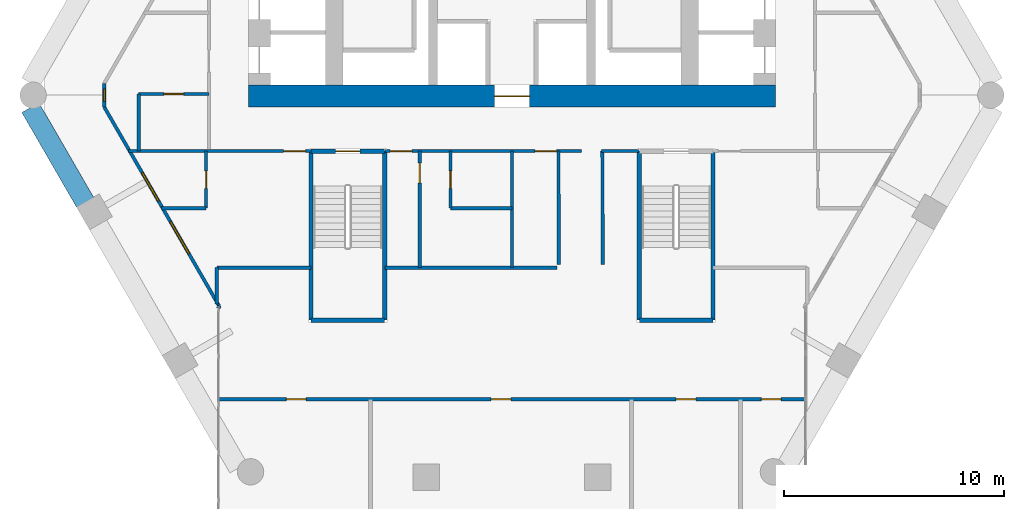
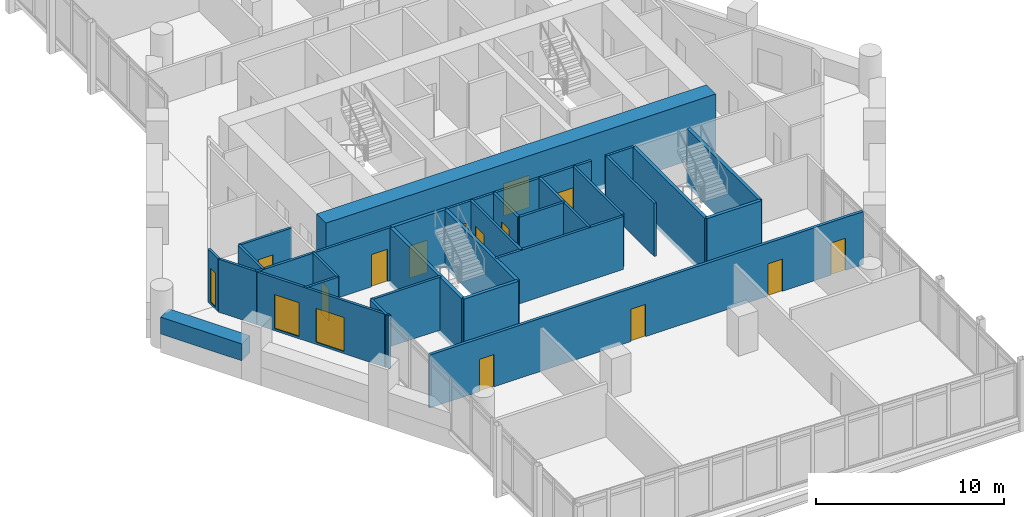
# One storey, part 23 of 28: 29 walls, 13 doors, 3 windows, 16 openings.
"""IFC4 building model written with IfcOpenShell, lengths in metres."""

from ifc_helpers import new_model, si_unit, direction, frame, frame_2d, origin, place, context, subcontext, project, spatial, rectangle, extrude, material, layer, layer_set, type_object, element, fill, save


model = new_model("IFC4")

# Units and contexts
model_context = context("Model", 3, precision=1e-05, world=origin(), true_north=direction((0.0, 1.0)))
body_context = subcontext(model_context, "Body", "Model", "MODEL_VIEW")
ifc_project = project(units=[si_unit("LENGTHUNIT", "METRE"), si_unit("AREAUNIT", "SQUARE_METRE"), si_unit("VOLUMEUNIT", "CUBIC_METRE"), si_unit("PLANEANGLEUNIT", "RADIAN"), si_unit("MASSUNIT", "GRAM", prefix="KILO")], contexts=[model_context])

# Site, building, storey
site_placement = place(None, origin())
site = spatial("IfcSite", under=ifc_project, at=site_placement, CompositionType="ELEMENT")
building_placement = place(site_placement, origin())
building = spatial("IfcBuilding", under=site, at=building_placement, Name="Ostrander Bayou Hotel Tower", CompositionType="ELEMENT")
storey_placement = place(building_placement, frame((0.0, 0.0, 142.25)))
storey = spatial("IfcBuildingStorey", under=building, at=storey_placement, Name="L35", CompositionType="ELEMENT", Elevation=142.25)

# Wall, opening, door
ifc_material_1 = material(Name="Concrete f'c 70 MPa", Category="concrete")
ifc_layer_1 = layer(ifc_material_1, 1.0)
ifc_layer_set_1 = layer_set([ifc_layer_1], Name="CW4 core wall 1000 mm f'c 70 MPa")
wall_type_1 = type_object("IfcWallType", Name="CW4 core wall 1000 mm f'c 70 MPa", PredefinedType="SHEAR", material=ifc_layer_set_1)
wall_1_placement = place(storey_placement, frame((-12.0, -1.199951171875, -0.300048828125), z_axis=(0.0, 0.0, 1.0), x_axis=(1.0, 0.0, 0.0)))
wall_1 = element("IfcWall", 1, at=wall_1_placement, inside=storey, type_object=wall_type_1, Name="CW4 L35 S", PredefinedType="SHEAR", context=body_context, shape_type="SweptSolid", body=[
    extrude(rectangle(XDim=24.0, YDim=1.0, at=frame_2d((12.0, 0.0))), origin(), (0.0, 0.0, 1.0), 3.75),
])
opening_1_placement = place(wall_1_placement, frame((11.199951171875, 0.0, 0.0)))
opening_1 = element("IfcOpeningElement", 2, at=opening_1_placement, cuts=wall_1, Name="Opening T34-001", PredefinedType="OPENING", context=body_context, shape_type="SweptSolid", body=[
    extrude(rectangle(XDim=1.60009765625, YDim=2.10009765625, at=frame_2d((0.800048828125, 1.050048828125))), frame((0.0, 0.5, 0.0), z_axis=(0.0, -1.0, 0.0), x_axis=(1.0, 0.0, 0.0)), (0.0, 0.0, 1.0), 1.0),
])
ifc_material_2 = material(Name="Timber door leaf", Category="wood")
door_type_1 = type_object("IfcDoorType", Name="D13 double door 1600 x 2100 mm, 1 hour", OperationType="SINGLE_SWING_LEFT", PredefinedType="DOOR", material=ifc_material_2)
door_1_placement = place(opening_1_placement, origin())
door_1 = element("IfcDoor", 3, at=door_1_placement, inside=storey, type_object=door_type_1, Name="dr:L35:001", OperationType="DOUBLE_DOOR_SINGLE_SWING", OverallHeight=2.10009765625, OverallWidth=1.60009765625, PredefinedType="DOOR", context=body_context, shape_type="SweptSolid", body=[
    extrude(rectangle(XDim=1.60009765625, YDim=2.10009765625, at=frame_2d((0.800048828125, 1.050048828125))), frame((0.0, 0.02490234375, 0.0), z_axis=(0.0, -1.0, 0.0), x_axis=(1.0, 0.0, 0.0)), (0.0, 0.0, 1.0), 0.050048828125),
])
fill(opening_1, door_1)

# Wall, openings, windows
ifc_material_3 = material(Name="Aluminium framed insulated wall", Category="aluminium")
ifc_layer_2 = layer(ifc_material_3, 0.14990234375)
ifc_layer_set_2 = layer_set([ifc_layer_2], Name="GW1 glass-line wall 150 mm")
wall_type_2 = type_object("IfcWallType", Name="GW1 glass-line wall 150 mm", PredefinedType="SOLIDWALL", material=ifc_layer_set_2)
wall_2_placement = place(storey_placement, frame((-18.568115234375, -1.68896484375, 0.0), z_axis=(0.0, 0.0, 1.0), x_axis=(0.499994317138, -0.866028684761, 0.0)))
wall_2 = element("IfcWall", 4, at=wall_2_placement, inside=storey, type_object=wall_type_2, Name="GW1 L35 SW 1", PredefinedType="SOLIDWALL", context=body_context, shape_type="SweptSolid", body=[
    extrude(rectangle(XDim=10.46826171875, YDim=0.14990234375, at=frame_2d((5.234130859375, 0.0))), origin(), (0.0, 0.0, 1.0), 3.449951171875),
])
opening_2_placement = place(wall_2_placement, frame((3.448486328125, 0.0, 0.14990234375)))
opening_2 = element("IfcOpeningElement", 5, at=opening_2_placement, cuts=wall_2, Name="Opening W12", PredefinedType="OPENING", context=body_context, shape_type="SweptSolid", body=[
    extrude(rectangle(XDim=1.5, YDim=2.199951171875, at=frame_2d((0.75, 1.10009765625))), frame((0.0, 0.074951171875, 0.0), z_axis=(0.0, -1.0, 0.0), x_axis=(1.0, 0.0, 0.0)), (0.0, 0.0, 1.0), 0.14990234375),
])
opening_3_placement = place(wall_2_placement, frame((6.021484375, 0.0, 0.14990234375)))
opening_3 = element("IfcOpeningElement", 6, at=opening_3_placement, cuts=wall_2, Name="Opening W8", PredefinedType="OPENING", context=body_context, shape_type="SweptSolid", body=[
    extrude(rectangle(XDim=1.699951171875, YDim=2.199951171875, at=frame_2d((0.85009765625, 1.10009765625))), frame((0.0, 0.074951171875, 0.0), z_axis=(0.0, -1.0, 0.0), x_axis=(1.0, 0.0, 0.0)), (0.0, 0.0, 1.0), 0.14990234375),
])
ifc_material_4 = material(Name="Aluminium and clear glass", Category="aluminium")
window_type_1 = type_object("IfcWindowType", Name="W12 fixed window 1500 mm, bath bay, zone 2", PartitioningType="SINGLE_PANEL", PredefinedType="WINDOW", material=ifc_material_4)
window_1_placement = place(opening_2_placement, origin())
window_1 = element("IfcWindow", 7, at=window_1_placement, inside=storey, type_object=window_type_1, Name="W12 L35 SW 1", OverallHeight=2.199951171875, OverallWidth=1.5, PartitioningType="SINGLE_PANEL", PredefinedType="WINDOW", context=body_context, shape_type="SweptSolid", body=[
    extrude(rectangle(XDim=1.5, YDim=2.199951171875, at=frame_2d((0.75, 1.10009765625))), frame((0.0, 0.030029296875, 0.0), z_axis=(0.0, -1.0, 0.0), x_axis=(1.0, 0.0, 0.0)), (0.0, 0.0, 1.0), 0.06005859375),
])
fill(opening_2, window_1)
ifc_material_5 = material(Name="Aluminium and clear glass", Category="aluminium")
window_type_2 = type_object("IfcWindowType", Name="W8 fixed window 1700 mm, bar storeys, zone 2", PartitioningType="SINGLE_PANEL", PredefinedType="WINDOW", material=ifc_material_5)
window_2_placement = place(opening_3_placement, origin())
window_2 = element("IfcWindow", 8, at=window_2_placement, inside=storey, type_object=window_type_2, Name="W8 L35 SW 2", OverallHeight=2.199951171875, OverallWidth=1.699951171875, PartitioningType="SINGLE_PANEL", PredefinedType="WINDOW", context=body_context, shape_type="SweptSolid", body=[
    extrude(rectangle(XDim=1.699951171875, YDim=2.199951171875, at=frame_2d((0.85009765625, 1.10009765625))), frame((0.0, 0.030029296875, 0.0), z_axis=(0.0, -1.0, 0.0), x_axis=(1.0, 0.0, 0.0)), (0.0, 0.0, 1.0), 0.06005859375),
])
fill(opening_3, window_2)

# Wall, opening, window
wall_3_placement = place(storey_placement, frame((-18.568115234375, -0.6240234375, 0.0), z_axis=(0.0, 0.0, 1.0), x_axis=(0.0, -1.0, 0.0)))
wall_3 = element("IfcWall", 9, at=wall_3_placement, inside=storey, type_object=wall_type_2, Name="GW1 L35 corner 2", PredefinedType="SOLIDWALL", context=body_context, shape_type="SweptSolid", body=[
    extrude(rectangle(XDim=1.06494140625, YDim=0.14990234375, at=frame_2d((0.532470703125, 0.0))), origin(), (0.0, 0.0, 1.0), 3.449951171875),
])
opening_4_placement = place(wall_3_placement, frame((0.257568359375, 0.0, 0.14990234375)))
opening_4 = element("IfcOpeningElement", 10, at=opening_4_placement, cuts=wall_3, Name="Opening W19", PredefinedType="OPENING", context=body_context, shape_type="SweptSolid", body=[
    extrude(rectangle(XDim=0.550048828125, YDim=2.199951171875, at=frame_2d((0.27490234375, 1.10009765625))), frame((0.0, 0.074951171875, 0.0), z_axis=(0.0, -1.0, 0.0), x_axis=(1.0, 0.0, 0.0)), (0.0, 0.0, 1.0), 0.14990234375),
])
ifc_material_6 = material(Name="Aluminium and clear glass", Category="aluminium")
window_type_3 = type_object("IfcWindowType", Name="W19 corner window 550 mm", PartitioningType="SINGLE_PANEL", PredefinedType="WINDOW", material=ifc_material_6)
window_3_placement = place(opening_4_placement, origin())
window_3 = element("IfcWindow", 11, at=window_3_placement, inside=storey, type_object=window_type_3, Name="W19 L35 corner 2", OverallHeight=2.199951171875, OverallWidth=0.550048828125, PartitioningType="SINGLE_PANEL", PredefinedType="WINDOW", context=body_context, shape_type="SweptSolid", body=[
    extrude(rectangle(XDim=0.550048828125, YDim=2.199951171875, at=frame_2d((0.27490234375, 1.10009765625))), frame((0.0, 0.030029296875, 0.0), z_axis=(0.0, -1.0, 0.0), x_axis=(1.0, 0.0, 0.0)), (0.0, 0.0, 1.0), 0.06005859375),
])
fill(opening_4, window_3)

# Walls
wall_4_placement = place(storey_placement, frame((-13.333984375, -10.7548828125, 0.0), z_axis=(0.0, 0.0, 1.0), x_axis=(-0.337751931921, -0.941235163221, 0.0)))
element("IfcWall", 12, at=wall_4_placement, inside=storey, type_object=wall_type_2, Name="GW1 L35 bar joint 1", PredefinedType="SOLIDWALL", context=body_context, shape_type="SweptSolid", body=[
    extrude(rectangle(XDim=0.098388671875, YDim=0.14990234375, at=frame_2d((0.04931640625, 0.0))), origin(), (0.0, 0.0, 1.0), 3.449951171875),
])
ifc_material_7 = material(Name="Limestone masonry", Category="masonry")
ifc_layer_3 = layer(ifc_material_7, 0.89990234375)
ifc_layer_set_3 = layer_set([ifc_layer_3], Name="PA2 limestone parapet 900 mm")
wall_type_3 = type_object("IfcWallType", Name="PA2 limestone parapet 900 mm", PredefinedType="PARAPET", material=ifc_layer_set_3)
wall_5_placement = place(storey_placement, frame((-21.927734375, -1.72021484375, 0.0), z_axis=(0.0, 0.0, 1.0), x_axis=(0.500011423449, -0.866018808352, 0.0)))
element("IfcWall", 13, at=wall_5_placement, inside=storey, type_object=wall_type_3, Name="PA2 L35 SW-1", PredefinedType="PARAPET", context=body_context, shape_type="SweptSolid", body=[
    extrude(rectangle(XDim=4.99755859375, YDim=0.89990234375, at=frame_2d((2.498779296875, 0.0))), origin(), (0.0, 0.0, 1.0), 1.10009765625),
])

# Wall, openings, doors
ifc_material_8 = material(Name="Gypsum board partition", Category="finish")
ifc_layer_4 = layer(ifc_material_8, 0.175048828125)
ifc_layer_set_4 = layer_set([ifc_layer_4], Name="PT4 corridor wall 175 mm, 1 hour")
wall_type_4 = type_object("IfcWallType", Name="PT4 corridor wall 175 mm, 1 hour", PredefinedType="PARTITIONING", material=ifc_layer_set_4)
wall_6_placement = place(storey_placement, frame((-13.34814453125, -15.0, 0.0), z_axis=(0.0, 0.0, 1.0), x_axis=(1.0, 0.0, 0.0)))
wall_6 = element("IfcWall", 14, at=wall_6_placement, inside=storey, type_object=wall_type_4, Name="sw:L35:500", PredefinedType="PARTITIONING", context=body_context, shape_type="SweptSolid", body=[
    extrude(rectangle(XDim=26.6962890625, YDim=0.175048828125, at=frame_2d((13.34814453125, 0.0))), origin(), (0.0, 0.0, 1.0), 3.449951171875),
])
opening_5_placement = place(wall_6_placement, frame((3.071044921875, 0.0, 0.0)))
opening_5 = element("IfcOpeningElement", 15, at=opening_5_placement, cuts=wall_6, Name="Opening T34-1200", PredefinedType="OPENING", context=body_context, shape_type="SweptSolid", body=[
    extrude(rectangle(XDim=0.89990234375, YDim=2.10009765625, at=frame_2d((0.449951171875, 1.050048828125))), frame((0.0, 0.08740234375, 0.0), z_axis=(0.0, -1.0, 0.0), x_axis=(1.0, 0.0, 0.0)), (0.0, 0.0, 1.0), 0.175048828125),
])
opening_6_placement = place(wall_6_placement, frame((20.8203125, 0.0, 0.0)))
opening_6 = element("IfcOpeningElement", 16, at=opening_6_placement, cuts=wall_6, Name="Opening T34-1203", PredefinedType="OPENING", context=body_context, shape_type="SweptSolid", body=[
    extrude(rectangle(XDim=0.89990234375, YDim=2.10009765625, at=frame_2d((0.449951171875, 1.050048828125))), frame((0.0, 0.08740234375, 0.0), z_axis=(0.0, -1.0, 0.0), x_axis=(1.0, 0.0, 0.0)), (0.0, 0.0, 1.0), 0.175048828125),
])
opening_7_placement = place(wall_6_placement, frame((24.705322265625, 0.0, 0.0)))
opening_7 = element("IfcOpeningElement", 17, at=opening_7_placement, cuts=wall_6, Name="Opening T34-1204", PredefinedType="OPENING", context=body_context, shape_type="SweptSolid", body=[
    extrude(rectangle(XDim=0.89990234375, YDim=2.10009765625, at=frame_2d((0.449951171875, 1.050048828125))), frame((0.0, 0.08740234375, 0.0), z_axis=(0.0, -1.0, 0.0), x_axis=(1.0, 0.0, 0.0)), (0.0, 0.0, 1.0), 0.175048828125),
])
opening_8_placement = place(wall_6_placement, frame((12.398193359375, 0.0, 0.0)))
opening_8 = element("IfcOpeningElement", 18, at=opening_8_placement, cuts=wall_6, Name="Opening T34-1205", PredefinedType="OPENING", context=body_context, shape_type="SweptSolid", body=[
    extrude(rectangle(XDim=0.89990234375, YDim=2.10009765625, at=frame_2d((0.449951171875, 1.050048828125))), frame((0.0, 0.08740234375, 0.0), z_axis=(0.0, -1.0, 0.0), x_axis=(1.0, 0.0, 0.0)), (0.0, 0.0, 1.0), 0.175048828125),
])
ifc_material_9 = material(Name="Timber door leaf", Category="wood")
door_type_2 = type_object("IfcDoorType", Name="D8 room door 900 x 2100 mm", OperationType="SINGLE_SWING_LEFT", PredefinedType="DOOR", material=ifc_material_9)
door_2_placement = place(opening_5_placement, origin())
door_2 = element("IfcDoor", 19, at=door_2_placement, inside=storey, type_object=door_type_2, Name="dr:L35:1200", OperationType="SINGLE_SWING_RIGHT", OverallHeight=2.10009765625, OverallWidth=0.89990234375, PredefinedType="DOOR", context=body_context, shape_type="SweptSolid", body=[
    extrude(rectangle(XDim=0.89990234375, YDim=2.10009765625, at=frame_2d((0.449951171875, 1.050048828125))), frame((0.0, 0.02490234375, 0.0), z_axis=(0.0, -1.0, 0.0), x_axis=(1.0, 0.0, 0.0)), (0.0, 0.0, 1.0), 0.050048828125),
])
fill(opening_5, door_2)
door_3_placement = place(opening_6_placement, origin())
door_3 = element("IfcDoor", 20, at=door_3_placement, inside=storey, type_object=door_type_2, Name="dr:L35:1203", OperationType="SINGLE_SWING_LEFT", OverallHeight=2.10009765625, OverallWidth=0.89990234375, PredefinedType="DOOR", context=body_context, shape_type="SweptSolid", body=[
    extrude(rectangle(XDim=0.89990234375, YDim=2.10009765625, at=frame_2d((0.449951171875, 1.050048828125))), frame((0.0, 0.02490234375, 0.0), z_axis=(0.0, -1.0, 0.0), x_axis=(1.0, 0.0, 0.0)), (0.0, 0.0, 1.0), 0.050048828125),
])
fill(opening_6, door_3)
door_4_placement = place(opening_7_placement, origin())
door_4 = element("IfcDoor", 21, at=door_4_placement, inside=storey, type_object=door_type_2, Name="dr:L35:1204", OperationType="SINGLE_SWING_RIGHT", OverallHeight=2.10009765625, OverallWidth=0.89990234375, PredefinedType="DOOR", context=body_context, shape_type="SweptSolid", body=[
    extrude(rectangle(XDim=0.89990234375, YDim=2.10009765625, at=frame_2d((0.449951171875, 1.050048828125))), frame((0.0, 0.02490234375, 0.0), z_axis=(0.0, -1.0, 0.0), x_axis=(1.0, 0.0, 0.0)), (0.0, 0.0, 1.0), 0.050048828125),
])
fill(opening_7, door_4)
door_5_placement = place(opening_8_placement, origin())
door_5 = element("IfcDoor", 22, at=door_5_placement, inside=storey, type_object=door_type_2, Name="dr:L35:1205", OperationType="SINGLE_SWING_LEFT", OverallHeight=2.10009765625, OverallWidth=0.89990234375, PredefinedType="DOOR", context=body_context, shape_type="SweptSolid", body=[
    extrude(rectangle(XDim=0.89990234375, YDim=2.10009765625, at=frame_2d((0.449951171875, 1.050048828125))), frame((0.0, 0.02490234375, 0.0), z_axis=(0.0, -1.0, 0.0), x_axis=(1.0, 0.0, 0.0)), (0.0, 0.0, 1.0), 0.050048828125),
])
fill(opening_8, door_5)

# Walls
ifc_material_10 = material(Name="Gypsum board partition", Category="finish")
ifc_layer_5 = layer(ifc_material_10, 0.14990234375)
ifc_layer_set_5 = layer_set([ifc_layer_5], Name="PT8 service band wall 150 mm, 1 hour")
wall_type_5 = type_object("IfcWallType", Name="PT8 service band wall 150 mm, 1 hour", PredefinedType="PARTITIONING", material=ifc_layer_set_5)
wall_7_placement = place(storey_placement, frame((-13.43994140625, -9.010009765625, 0.0), z_axis=(0.0, 0.0, 1.0), x_axis=(1.0, 0.0, 0.0)))
element("IfcWall", 23, at=wall_7_placement, inside=storey, type_object=wall_type_5, Name="gw:L35:001", PredefinedType="PARTITIONING", context=body_context, shape_type="SweptSolid", body=[
    extrude(rectangle(XDim=4.280029296875, YDim=0.14990234375, at=frame_2d((2.14013671875, 0.0))), origin(), (0.0, 0.0, 1.0), 3.449951171875),
])
wall_8_placement = place(storey_placement, frame((-5.7900390625, -9.010009765625, 0.0), z_axis=(0.0, 0.0, 1.0), x_axis=(1.0, 0.0, 0.0)))
element("IfcWall", 24, at=wall_8_placement, inside=storey, type_object=wall_type_5, Name="gw:L35:002", PredefinedType="PARTITIONING", context=body_context, shape_type="SweptSolid", body=[
    extrude(rectangle(XDim=7.844970703125, YDim=0.14990234375, at=frame_2d((3.92236328125, 0.0))), origin(), (0.0, 0.0, 1.0), 3.449951171875),
])
wall_9_placement = place(storey_placement, frame((-15.9580078125, -6.300048828125, 0.0), z_axis=(0.0, 0.0, 1.0), x_axis=(1.0, 0.0, 0.0)))
element("IfcWall", 25, at=wall_9_placement, inside=storey, type_object=wall_type_5, Name="gw:L35:004", PredefinedType="PARTITIONING", context=body_context, shape_type="SweptSolid", body=[
    extrude(rectangle(XDim=2.028076171875, YDim=0.14990234375, at=frame_2d((1.01416015625, 0.0))), origin(), (0.0, 0.0, 1.0), 3.449951171875),
])
wall_10_placement = place(storey_placement, frame((-2.800048828125, -6.300048828125, 0.0), z_axis=(0.0, 0.0, 1.0), x_axis=(1.0, 0.0, 0.0)))
element("IfcWall", 26, at=wall_10_placement, inside=storey, type_object=wall_type_5, Name="gw:L35:005", PredefinedType="PARTITIONING", context=body_context, shape_type="SweptSolid", body=[
    extrude(rectangle(XDim=2.800048828125, YDim=0.14990234375, at=frame_2d((1.39990234375, 0.0))), origin(), (0.0, 0.0, 1.0), 3.449951171875),
])

# Wall, opening, door
wall_11_placement = place(storey_placement, frame((-17.458984375, -3.699951171875, 0.0), z_axis=(0.0, 0.0, 1.0), x_axis=(1.0, 0.0, 0.0)))
wall_11 = element("IfcWall", 27, at=wall_11_placement, inside=storey, type_object=wall_type_5, Name="gw:L35:007", PredefinedType="PARTITIONING", context=body_context, shape_type="SweptSolid", body=[
    extrude(rectangle(XDim=8.299072265625, YDim=0.14990234375, at=frame_2d((4.1494140625, 0.0))), origin(), (0.0, 0.0, 1.0), 3.449951171875),
])
opening_9_placement = place(wall_11_placement, frame((7.05908203125, 0.0, 0.0)))
opening_9 = element("IfcOpeningElement", 28, at=opening_9_placement, cuts=wall_11, Name="Opening T34-403", PredefinedType="OPENING", context=body_context, shape_type="SweptSolid", body=[
    extrude(rectangle(XDim=1.0, YDim=2.10009765625, at=frame_2d((0.5, 1.050048828125))), frame((0.0, 0.074951171875, 0.0), z_axis=(0.0, -1.0, 0.0), x_axis=(1.0, 0.0, 0.0)), (0.0, 0.0, 1.0), 0.14990234375),
])
ifc_material_11 = material(Name="Timber door leaf", Category="wood")
door_type_3 = type_object("IfcDoorType", Name="D1 guest room door 1000 x 2100 mm, 30 minute", OperationType="SINGLE_SWING_LEFT", PredefinedType="DOOR", material=ifc_material_11)
door_6_placement = place(opening_9_placement, origin())
door_6 = element("IfcDoor", 29, at=door_6_placement, inside=storey, type_object=door_type_3, Name="dr:L35:403", OperationType="SINGLE_SWING_RIGHT", OverallHeight=2.10009765625, OverallWidth=1.0, PredefinedType="DOOR", context=body_context, shape_type="SweptSolid", body=[
    extrude(rectangle(XDim=1.0, YDim=2.10009765625, at=frame_2d((0.5, 1.050048828125))), frame((0.0, 0.02490234375, 0.0), z_axis=(0.0, -1.0, 0.0), x_axis=(1.0, 0.0, 0.0)), (0.0, 0.0, 1.0), 0.050048828125),
])
fill(opening_9, door_6)

# Wall, openings, doors
wall_12_placement = place(storey_placement, frame((-5.7900390625, -3.699951171875, 0.0), z_axis=(0.0, 0.0, 1.0), x_axis=(1.0, 0.0, 0.0)))
wall_12 = element("IfcWall", 30, at=wall_12_placement, inside=storey, type_object=wall_type_5, Name="gw:L35:008", PredefinedType="PARTITIONING", context=body_context, shape_type="SweptSolid", body=[
    extrude(rectangle(XDim=8.945068359375, YDim=0.14990234375, at=frame_2d((4.47265625, 0.0))), origin(), (0.0, 0.0, 1.0), 3.449951171875),
])
opening_10_placement = place(wall_12_placement, frame((0.239990234375, 0.0, 0.0)))
opening_10 = element("IfcOpeningElement", 31, at=opening_10_placement, cuts=wall_12, Name="Opening T34-400", PredefinedType="OPENING", context=body_context, shape_type="SweptSolid", body=[
    extrude(rectangle(XDim=1.0, YDim=2.10009765625, at=frame_2d((0.5, 1.050048828125))), frame((0.0, 0.074951171875, 0.0), z_axis=(0.0, -1.0, 0.0), x_axis=(1.0, 0.0, 0.0)), (0.0, 0.0, 1.0), 0.14990234375),
])
opening_11_placement = place(wall_12_placement, frame((6.826904296875, 0.0, 0.0)))
opening_11 = element("IfcOpeningElement", 32, at=opening_11_placement, cuts=wall_12, Name="Opening T34-405", PredefinedType="OPENING", context=body_context, shape_type="SweptSolid", body=[
    extrude(rectangle(XDim=1.0, YDim=2.10009765625, at=frame_2d((0.5, 1.050048828125))), frame((0.0, 0.074951171875, 0.0), z_axis=(0.0, -1.0, 0.0), x_axis=(1.0, 0.0, 0.0)), (0.0, 0.0, 1.0), 0.14990234375),
])
door_7_placement = place(opening_10_placement, origin())
door_7 = element("IfcDoor", 33, at=door_7_placement, inside=storey, type_object=door_type_3, Name="dr:L35:400", OperationType="SINGLE_SWING_LEFT", OverallHeight=2.10009765625, OverallWidth=1.0, PredefinedType="DOOR", context=body_context, shape_type="SweptSolid", body=[
    extrude(rectangle(XDim=1.0, YDim=2.10009765625, at=frame_2d((0.5, 1.050048828125))), frame((0.0, 0.02490234375, 0.0), z_axis=(0.0, -1.0, 0.0), x_axis=(1.0, 0.0, 0.0)), (0.0, 0.0, 1.0), 0.050048828125),
])
fill(opening_10, door_7)
ifc_material_12 = material(Name="Timber door leaf", Category="wood")
door_type_4 = type_object("IfcDoorType", Name="D9 service door 1000 x 2100 mm, 30 minute", OperationType="SINGLE_SWING_LEFT", PredefinedType="DOOR", material=ifc_material_12)
door_8_placement = place(opening_11_placement, origin())
door_8 = element("IfcDoor", 34, at=door_8_placement, inside=storey, type_object=door_type_4, Name="dr:L35:405", OperationType="SINGLE_SWING_LEFT", OverallHeight=2.10009765625, OverallWidth=1.0, PredefinedType="DOOR", context=body_context, shape_type="SweptSolid", body=[
    extrude(rectangle(XDim=1.0, YDim=2.10009765625, at=frame_2d((0.5, 1.050048828125))), frame((0.0, 0.02490234375, 0.0), z_axis=(0.0, -1.0, 0.0), x_axis=(1.0, 0.0, 0.0)), (0.0, 0.0, 1.0), 0.050048828125),
])
fill(opening_11, door_8)

# Wall
wall_13_placement = place(storey_placement, frame((4.074951171875, -3.699951171875, 0.0), z_axis=(0.0, 0.0, 1.0), x_axis=(1.0, 0.0, 0.0)))
element("IfcWall", 35, at=wall_13_placement, inside=storey, type_object=wall_type_5, Name="gw:L35:009", PredefinedType="PARTITIONING", context=body_context, shape_type="SweptSolid", body=[
    extrude(rectangle(XDim=1.715087890625, YDim=0.14990234375, at=frame_2d((0.857421875, 0.0))), origin(), (0.0, 0.0, 1.0), 3.449951171875),
])

# Wall, opening, door
wall_14_placement = place(storey_placement, frame((-17.0, -1.10009765625, 0.0), z_axis=(0.0, 0.0, 1.0), x_axis=(1.0, 0.0, 0.0)))
wall_14 = element("IfcWall", 36, at=wall_14_placement, inside=storey, type_object=wall_type_5, Name="gw:L35:011", PredefinedType="PARTITIONING", context=body_context, shape_type="SweptSolid", body=[
    extrude(rectangle(XDim=3.199951171875, YDim=0.14990234375, at=frame_2d((1.60009765625, 0.0))), origin(), (0.0, 0.0, 1.0), 3.449951171875),
])
opening_12_placement = place(wall_14_placement, frame((1.14990234375, 0.0, 0.0)))
opening_12 = element("IfcOpeningElement", 37, at=opening_12_placement, cuts=wall_14, Name="Opening T34-409", PredefinedType="OPENING", context=body_context, shape_type="SweptSolid", body=[
    extrude(rectangle(XDim=0.89990234375, YDim=2.10009765625, at=frame_2d((0.449951171875, 1.050048828125))), frame((0.0, 0.074951171875, 0.0), z_axis=(0.0, -1.0, 0.0), x_axis=(1.0, 0.0, 0.0)), (0.0, 0.0, 1.0), 0.14990234375),
])
door_9_placement = place(opening_12_placement, origin())
door_9 = element("IfcDoor", 38, at=door_9_placement, inside=storey, type_object=door_type_2, Name="dr:L35:409", OperationType="SINGLE_SWING_RIGHT", OverallHeight=2.10009765625, OverallWidth=0.89990234375, PredefinedType="DOOR", context=body_context, shape_type="SweptSolid", body=[
    extrude(rectangle(XDim=0.89990234375, YDim=2.10009765625, at=frame_2d((0.449951171875, 1.050048828125))), frame((0.0, 0.02490234375, 0.0), z_axis=(0.0, -1.0, 0.0), x_axis=(1.0, 0.0, 0.0)), (0.0, 0.0, 1.0), 0.050048828125),
])
fill(opening_12, door_9)

# Wall
wall_15_placement = place(storey_placement, frame((0.0, -9.010009765625, 0.0), z_axis=(0.0, 0.0, 1.0), x_axis=(0.0, 1.0, 0.0)))
element("IfcWall", 39, at=wall_15_placement, inside=storey, type_object=wall_type_5, Name="gw:L35:020", PredefinedType="PARTITIONING", context=body_context, shape_type="SweptSolid", body=[
    extrude(rectangle(XDim=5.31005859375, YDim=0.14990234375, at=frame_2d((2.655029296875, 0.0))), origin(), (0.0, 0.0, 1.0), 3.449951171875),
])

# Wall, opening, door
wall_16_placement = place(storey_placement, frame((-2.800048828125, -6.300048828125, 0.0), z_axis=(0.0, 0.0, 1.0), x_axis=(0.0, 1.0, 0.0)))
wall_16 = element("IfcWall", 40, at=wall_16_placement, inside=storey, type_object=wall_type_5, Name="gw:L35:021", PredefinedType="PARTITIONING", context=body_context, shape_type="SweptSolid", body=[
    extrude(rectangle(XDim=2.60009765625, YDim=0.14990234375, at=frame_2d((1.300048828125, 0.0))), origin(), (0.0, 0.0, 1.0), 3.449951171875),
])
opening_13_placement = place(wall_16_placement, frame((0.89990234375, 0.0, 0.0)))
opening_13 = element("IfcOpeningElement", 41, at=opening_13_placement, cuts=wall_16, Name="Opening T34-402", PredefinedType="OPENING", context=body_context, shape_type="SweptSolid", body=[
    extrude(rectangle(XDim=0.800048828125, YDim=2.10009765625, at=frame_2d((0.39990234375, 1.050048828125))), frame((0.0, 0.074951171875, 0.0), z_axis=(0.0, -1.0, 0.0), x_axis=(1.0, 0.0, 0.0)), (0.0, 0.0, 1.0), 0.14990234375),
])
ifc_material_13 = material(Name="Timber door leaf", Category="wood")
door_type_5 = type_object("IfcDoorType", Name="D2 bathroom door 800 x 2100 mm", OperationType="SINGLE_SWING_LEFT", PredefinedType="DOOR", material=ifc_material_13)
door_10_placement = place(opening_13_placement, origin())
door_10 = element("IfcDoor", 42, at=door_10_placement, inside=storey, type_object=door_type_5, Name="dr:L35:402", OperationType="SINGLE_SWING_RIGHT", OverallHeight=2.10009765625, OverallWidth=0.800048828125, PredefinedType="DOOR", context=body_context, shape_type="SweptSolid", body=[
    extrude(rectangle(XDim=0.800048828125, YDim=2.10009765625, at=frame_2d((0.39990234375, 1.050048828125))), frame((0.0, 0.02490234375, 0.0), z_axis=(0.0, -1.0, 0.0), x_axis=(1.0, 0.0, 0.0)), (0.0, 0.0, 1.0), 0.050048828125),
])
fill(opening_13, door_10)

wall_17_placement = place(storey_placement, frame((-4.199951171875, -9.010009765625, 0.0), z_axis=(0.0, 0.0, 1.0), x_axis=(0.0, 1.0, 0.0)))
wall_17 = element("IfcWall", 43, at=wall_17_placement, inside=storey, type_object=wall_type_5, Name="gw:L35:022", PredefinedType="PARTITIONING", context=body_context, shape_type="SweptSolid", body=[
    extrude(rectangle(XDim=5.31005859375, YDim=0.14990234375, at=frame_2d((2.655029296875, 0.0))), origin(), (0.0, 0.0, 1.0), 3.449951171875),
])
opening_14_placement = place(wall_17_placement, frame((3.860107421875, 0.0, 0.0)))
opening_14 = element("IfcOpeningElement", 44, at=opening_14_placement, cuts=wall_17, Name="Opening T34-401", PredefinedType="OPENING", context=body_context, shape_type="SweptSolid", body=[
    extrude(rectangle(XDim=0.89990234375, YDim=2.10009765625, at=frame_2d((0.449951171875, 1.050048828125))), frame((0.0, 0.074951171875, 0.0), z_axis=(0.0, -1.0, 0.0), x_axis=(1.0, 0.0, 0.0)), (0.0, 0.0, 1.0), 0.14990234375),
])
door_11_placement = place(opening_14_placement, origin())
door_11 = element("IfcDoor", 45, at=door_11_placement, inside=storey, type_object=door_type_2, Name="dr:L35:401", OperationType="SINGLE_SWING_RIGHT", OverallHeight=2.10009765625, OverallWidth=0.89990234375, PredefinedType="DOOR", context=body_context, shape_type="SweptSolid", body=[
    extrude(rectangle(XDim=0.89990234375, YDim=2.10009765625, at=frame_2d((0.449951171875, 1.050048828125))), frame((0.0, 0.02490234375, 0.0), z_axis=(0.0, -1.0, 0.0), x_axis=(1.0, 0.0, 0.0)), (0.0, 0.0, 1.0), 0.050048828125),
])
fill(opening_14, door_11)

# Wall
wall_18_placement = place(storey_placement, frame((-13.43994140625, -10.660888671875, 0.0), z_axis=(0.0, 0.0, 1.0), x_axis=(0.0, 1.0, 0.0)))
element("IfcWall", 46, at=wall_18_placement, inside=storey, type_object=wall_type_5, Name="gw:L35:023", PredefinedType="PARTITIONING", context=body_context, shape_type="SweptSolid", body=[
    extrude(rectangle(XDim=1.65087890625, YDim=0.14990234375, at=frame_2d((0.825439453125, 0.0))), origin(), (0.0, 0.0, 1.0), 3.449951171875),
])

# Wall, opening, door
wall_19_placement = place(storey_placement, frame((-13.929931640625, -6.300048828125, 0.0), z_axis=(0.0, 0.0, 1.0), x_axis=(0.0, 1.0, 0.0)))
wall_19 = element("IfcWall", 47, at=wall_19_placement, inside=storey, type_object=wall_type_5, Name="gw:L35:026", PredefinedType="PARTITIONING", context=body_context, shape_type="SweptSolid", body=[
    extrude(rectangle(XDim=2.60009765625, YDim=0.14990234375, at=frame_2d((1.300048828125, 0.0))), origin(), (0.0, 0.0, 1.0), 3.449951171875),
])
opening_15_placement = place(wall_19_placement, frame((0.89990234375, 0.0, 0.0)))
opening_15 = element("IfcOpeningElement", 48, at=opening_15_placement, cuts=wall_19, Name="Opening T34-404", PredefinedType="OPENING", context=body_context, shape_type="SweptSolid", body=[
    extrude(rectangle(XDim=0.800048828125, YDim=2.10009765625, at=frame_2d((0.39990234375, 1.050048828125))), frame((0.0, 0.074951171875, 0.0), z_axis=(0.0, -1.0, 0.0), x_axis=(1.0, 0.0, 0.0)), (0.0, 0.0, 1.0), 0.14990234375),
])
door_12_placement = place(opening_15_placement, origin())
door_12 = element("IfcDoor", 49, at=door_12_placement, inside=storey, type_object=door_type_5, Name="dr:L35:404", OperationType="SINGLE_SWING_RIGHT", OverallHeight=2.10009765625, OverallWidth=0.800048828125, PredefinedType="DOOR", context=body_context, shape_type="SweptSolid", body=[
    extrude(rectangle(XDim=0.800048828125, YDim=2.10009765625, at=frame_2d((0.39990234375, 1.050048828125))), frame((0.0, 0.02490234375, 0.0), z_axis=(0.0, -1.0, 0.0), x_axis=(1.0, 0.0, 0.0)), (0.0, 0.0, 1.0), 0.050048828125),
])
fill(opening_15, door_12)

# Walls
wall_20_placement = place(storey_placement, frame((-17.0, -3.699951171875, 0.0), z_axis=(0.0, 0.0, 1.0), x_axis=(0.0, 1.0, 0.0)))
element("IfcWall", 50, at=wall_20_placement, inside=storey, type_object=wall_type_5, Name="gw:L35:027", PredefinedType="PARTITIONING", context=body_context, shape_type="SweptSolid", body=[
    extrude(rectangle(XDim=2.599853515625, YDim=0.14990234375, at=frame_2d((1.2998046875, 0.0))), origin(), (0.0, 0.0, 1.0), 3.449951171875),
])
wall_21_placement = place(storey_placement, frame((4.134033203125, -8.8701171875, 0.0), z_axis=(0.0, 0.0, 1.0), x_axis=(-0.003683216269, 0.999993216936, 0.0)))
element("IfcWall", 51, at=wall_21_placement, inside=storey, type_object=wall_type_5, Name="gw:L35:028", PredefinedType="PARTITIONING", context=body_context, shape_type="SweptSolid", body=[
    extrude(rectangle(XDim=5.170166015625, YDim=0.14990234375, at=frame_2d((2.5849609375, 0.0))), origin(), (0.0, 0.0, 1.0), 3.449951171875),
])
wall_22_placement = place(storey_placement, frame((2.134033203125, -8.8701171875, 0.0), z_axis=(0.0, 0.0, 1.0), x_axis=(-0.003686872276, 0.999993203463, 0.0)))
element("IfcWall", 52, at=wall_22_placement, inside=storey, type_object=wall_type_5, Name="gw:L35:029", PredefinedType="PARTITIONING", context=body_context, shape_type="SweptSolid", body=[
    extrude(rectangle(XDim=5.1650390625, YDim=0.14990234375, at=frame_2d((2.58251953125, 0.0))), origin(), (0.0, 0.0, 1.0), 3.449951171875),
])
ifc_material_14 = material(Name="Concrete f'c 45 MPa", Category="concrete")
ifc_layer_6 = layer(ifc_material_14, 0.199951171875)
ifc_layer_set_6 = layer_set([ifc_layer_6], Name="SW5 stair enclosure wall 200 mm f'c 45 MPa")
wall_type_6 = type_object("IfcWallType", Name="SW5 stair enclosure wall 200 mm f'c 45 MPa", PredefinedType="SOLIDWALL", material=ifc_layer_set_6)
for number, where, z_axis, x_axis, name in (
    (53, (5.800048828125, -3.699951171875, -0.300048828125), (0.0, 0.0, 1.0), (0.0, -1.0, 0.0), "cs:L35:014"),
    (54, (9.14990234375, -3.699951171875, -0.300048828125), (0.0, 0.0, 1.0), (0.0, -1.0, 0.0), "cs:L35:015"),
):
    element("IfcWall", number, at=place(storey_placement, frame(where, z_axis=z_axis, x_axis=x_axis)), inside=storey, type_object=wall_type_6, Name=name, PredefinedType="SOLIDWALL", context=body_context, shape_type="SweptSolid", body=[
        extrude(rectangle(XDim=7.699951171875, YDim=0.199951171875, at=frame_2d((3.85009765625, 0.0))), origin(), (0.0, 0.0, 1.0), 3.75),
    ])
wall_23_placement = place(storey_placement, frame((5.800048828125, -11.39990234375, -0.300048828125), z_axis=(0.0, 0.0, 1.0), x_axis=(1.0, 0.0, 0.0)))
element("IfcWall", 55, at=wall_23_placement, inside=storey, type_object=wall_type_6, Name="cs:L35:016", PredefinedType="SOLIDWALL", context=body_context, shape_type="SweptSolid", body=[
    extrude(rectangle(XDim=3.349853515625, YDim=0.199951171875, at=frame_2d((1.6748046875, 0.0))), origin(), (0.0, 0.0, 1.0), 3.75),
])

# Wall, opening, door
wall_24_placement = place(storey_placement, frame((-9.14990234375, -3.699951171875, -0.300048828125), z_axis=(0.0, 0.0, 1.0), x_axis=(1.0, 0.0, 0.0)))
wall_24 = element("IfcWall", 56, at=wall_24_placement, inside=storey, type_object=wall_type_6, Name="cs:L35:017", PredefinedType="SOLIDWALL", context=body_context, shape_type="SweptSolid", body=[
    extrude(rectangle(XDim=3.349853515625, YDim=0.199951171875, at=frame_2d((1.6748046875, 0.0))), origin(), (0.0, 0.0, 1.0), 3.75),
])
opening_16_placement = place(wall_24_placement, frame((1.125, 0.0, 0.0)))
opening_16 = element("IfcOpeningElement", 57, at=opening_16_placement, cuts=wall_24, Name="Opening T34-008", PredefinedType="OPENING", context=body_context, shape_type="SweptSolid", body=[
    extrude(rectangle(XDim=1.10009765625, YDim=2.10009765625, at=frame_2d((0.550048828125, 1.050048828125))), frame((0.0, 0.10009765625, 0.0), z_axis=(0.0, -1.0, 0.0), x_axis=(1.0, 0.0, 0.0)), (0.0, 0.0, 1.0), 0.199951171875),
])
ifc_material_15 = material(Name="Timber door leaf", Category="wood")
door_type_6 = type_object("IfcDoorType", Name="D5 stair door 1100 x 2100 mm, 90 minute", OperationType="SINGLE_SWING_LEFT", PredefinedType="DOOR", material=ifc_material_15)
door_13_placement = place(opening_16_placement, origin())
door_13 = element("IfcDoor", 58, at=door_13_placement, inside=storey, type_object=door_type_6, Name="dr:L35:008", OperationType="SINGLE_SWING_LEFT", OverallHeight=2.10009765625, OverallWidth=1.10009765625, PredefinedType="DOOR", context=body_context, shape_type="SweptSolid", body=[
    extrude(rectangle(XDim=1.10009765625, YDim=2.10009765625, at=frame_2d((0.550048828125, 1.050048828125))), frame((0.0, 0.02490234375, 0.0), z_axis=(0.0, -1.0, 0.0), x_axis=(1.0, 0.0, 0.0)), (0.0, 0.0, 1.0), 0.050048828125),
])
fill(opening_16, door_13)

# Walls
for number, where, z_axis, x_axis, name in (
    (59, (-9.14990234375, -3.699951171875, -0.300048828125), (0.0, 0.0, 1.0), (0.0, -1.0, 0.0), "cs:L35:018"),
    (60, (-5.800048828125, -3.699951171875, -0.300048828125), (0.0, 0.0, 1.0), (0.0, -1.0, 0.0), "cs:L35:019"),
):
    element("IfcWall", number, at=place(storey_placement, frame(where, z_axis=z_axis, x_axis=x_axis)), inside=storey, type_object=wall_type_6, Name=name, PredefinedType="SOLIDWALL", context=body_context, shape_type="SweptSolid", body=[
        extrude(rectangle(XDim=7.699951171875, YDim=0.199951171875, at=frame_2d((3.85009765625, 0.0))), origin(), (0.0, 0.0, 1.0), 3.75),
    ])
wall_25_placement = place(storey_placement, frame((-9.14990234375, -11.39990234375, -0.300048828125), z_axis=(0.0, 0.0, 1.0), x_axis=(1.0, 0.0, 0.0)))
element("IfcWall", 61, at=wall_25_placement, inside=storey, type_object=wall_type_6, Name="cs:L35:020", PredefinedType="SOLIDWALL", context=body_context, shape_type="SweptSolid", body=[
    extrude(rectangle(XDim=3.349853515625, YDim=0.199951171875, at=frame_2d((1.6748046875, 0.0))), origin(), (0.0, 0.0, 1.0), 3.75),
])

save(model, "model.ifc")
